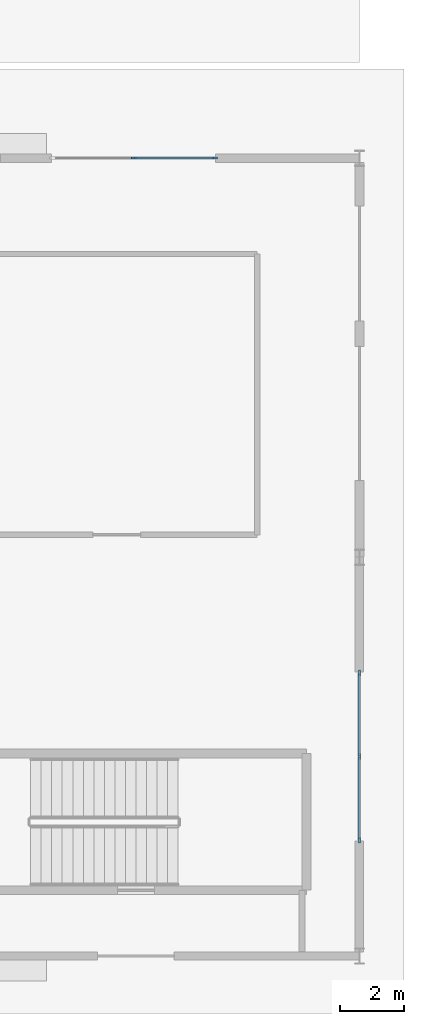
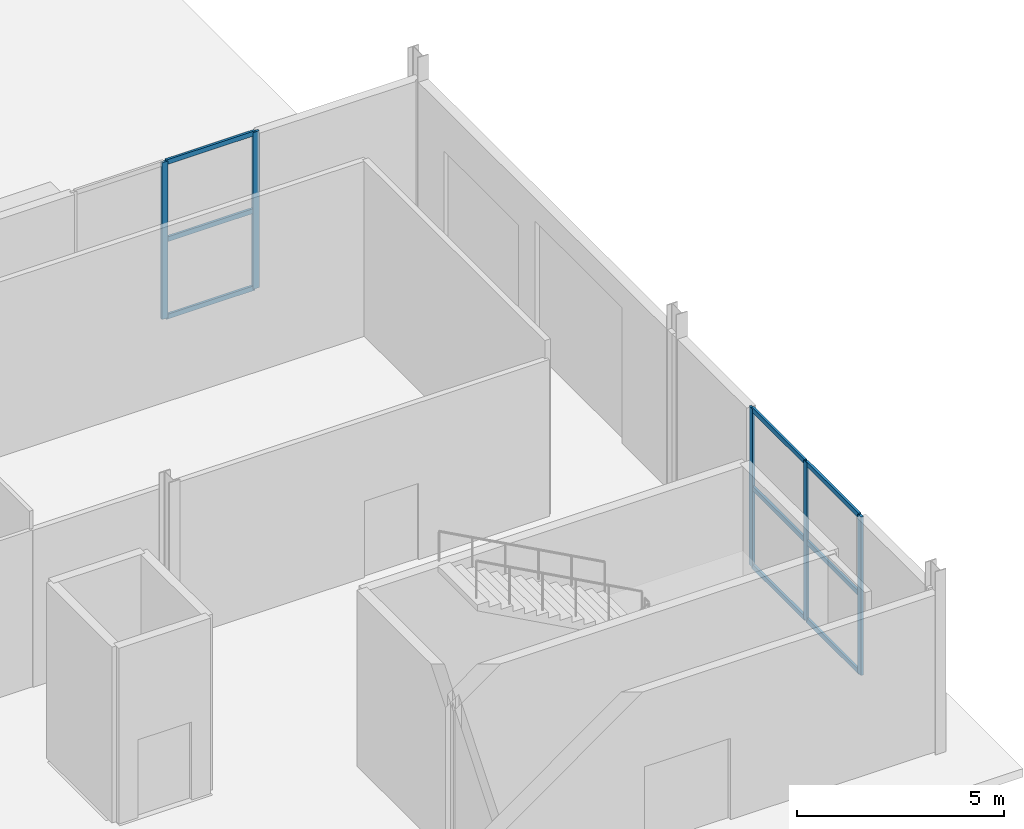
# One storey, part 47 of 87: 14 members, 2 elements without a shape of their own.
"""IFC4 building model written with IfcOpenShell, lengths in metres."""

from ifc_helpers import new_model, si_unit, direction, frame, origin, origin_2d, place, context, subcontext, project, spatial, rectangle, extrude, material, material_profile, profile_set, type_object, element, aggregate, save


model = new_model("IFC4")

# Units and contexts
model_context = context("Model", 3, precision=1e-05, world=origin(), true_north=direction((0.0, 1.0)))
body_context = subcontext(model_context, "Body", "Model", "MODEL_VIEW")
ifc_project = project(units=[si_unit("LENGTHUNIT", "METRE"), si_unit("AREAUNIT", "SQUARE_METRE"), si_unit("VOLUMEUNIT", "CUBIC_METRE"), si_unit("PLANEANGLEUNIT", "RADIAN"), si_unit("MASSUNIT", "GRAM", prefix="KILO")], contexts=[model_context])

# Site, building, storey
site_placement = place(None, origin())
site = spatial("IfcSite", under=ifc_project, at=site_placement, CompositionType="ELEMENT")
building_placement = place(site_placement, origin())
building = spatial("IfcBuilding", under=site, at=building_placement, Name="Kimbaza Rail Terminus", CompositionType="ELEMENT")
storey_placement = place(building_placement, origin())
storey = spatial("IfcBuildingStorey", under=building, at=storey_placement, Name="L00", CompositionType="ELEMENT", Elevation=0.0)

# Curtain wall, members
ifc_material_1 = material(Name="Anodised aluminium framing and solar low-E glazing", Category="aluminium")
curtain_wall_type = type_object("IfcCurtainWallType", Name="ARC-CW-PV1", PredefinedType="USERDEFINED", material=ifc_material_1)
curtain_wall_1_placement = place(storey_placement, origin())
curtain_wall_1 = element("IfcCurtainWall", 1, at=curtain_wall_1_placement, inside=storey, type_object=curtain_wall_type, Name="Pavilion N Curtain Wall L00.4", ObjectType="STICK CURTAIN WALL", PredefinedType="USERDEFINED")
ifc_material_2 = material(Name="Anodised architectural aluminium", Category="aluminium")
ifc_material_profile_1 = material_profile(ifc_material_2, rectangle(XDim=0.06494140625, YDim=0.175048828125, at=origin_2d()), Name="MULLION 65x175")
ifc_profile_set_1 = profile_set([ifc_material_profile_1], Name="Anodised architectural aluminium")
member_type_1 = type_object("IfcMemberType", Name="ARC-CWM-04", PredefinedType="MULLION", material=ifc_profile_set_1)
member_1_placement = place(storey_placement, frame((206.925048828125, 38.0, 0.0), z_axis=(0.0, 0.0, 1.0), x_axis=(0.0, 1.0, 0.0)))
member_1 = element("IfcMember", 2, at=member_1_placement, type_object=member_type_1, Name="CW-04 mullion 2", PredefinedType="MULLION", context=body_context, shape_type="SweptSolid", body=[
    extrude(rectangle(XDim=0.06494140625, YDim=0.175048828125, at=origin_2d()), origin(), (0.0, 0.0, 1.0), 4.625),
])
member_2_placement = place(storey_placement, frame((209.467529296875, 38.0, 0.0), z_axis=(0.0, 0.0, 1.0), x_axis=(0.0, 1.0, 0.0)))
member_2 = element("IfcMember", 3, at=member_2_placement, type_object=member_type_1, Name="CW-04 mullion 3", PredefinedType="MULLION", context=body_context, shape_type="SweptSolid", body=[
    extrude(rectangle(XDim=0.06494140625, YDim=0.175048828125, at=origin_2d()), origin(), (0.0, 0.0, 1.0), 4.625),
])

curtain_wall_2_placement = place(storey_placement, origin())
curtain_wall_2 = element("IfcCurtainWall", 4, at=curtain_wall_2_placement, inside=storey, type_object=curtain_wall_type, Name="Pavilion E Curtain Wall L00.1", ObjectType="STICK CURTAIN WALL", PredefinedType="USERDEFINED")
member_3_placement = place(storey_placement, frame((214.0, 16.632568359375, 0.0), z_axis=(0.0, 0.0, 1.0), x_axis=(-1.0, 0.0, 0.0)))
member_3 = element("IfcMember", 5, at=member_3_placement, type_object=member_type_1, Name="CW-04 mullion 1", PredefinedType="MULLION", context=body_context, shape_type="SweptSolid", body=[
    extrude(rectangle(XDim=0.06494140625, YDim=0.175048828125, at=origin_2d()), origin(), (0.0, 0.0, 1.0), 4.675048828125),
])
member_4_placement = place(storey_placement, frame((214.0, 19.25, 0.0), z_axis=(0.0, 0.0, 1.0), x_axis=(-1.0, 0.0, 0.0)))
member_4 = element("IfcMember", 6, at=member_4_placement, type_object=member_type_1, Name="CW-04 mullion 2", PredefinedType="MULLION", context=body_context, shape_type="SweptSolid", body=[
    extrude(rectangle(XDim=0.06494140625, YDim=0.175048828125, at=origin_2d()), origin(), (0.0, 0.0, 1.0), 4.675048828125),
])
member_5_placement = place(storey_placement, frame((214.0, 21.867431640625, 0.0), z_axis=(0.0, 0.0, 1.0), x_axis=(-1.0, 0.0, 0.0)))
member_5 = element("IfcMember", 7, at=member_5_placement, type_object=member_type_1, Name="CW-04 mullion 3", PredefinedType="MULLION", context=body_context, shape_type="SweptSolid", body=[
    extrude(rectangle(XDim=0.06494140625, YDim=0.175048828125, at=origin_2d()), origin(), (0.0, 0.0, 1.0), 4.675048828125),
])

# Member
ifc_material_3 = material(Name="Anodised architectural aluminium", Category="aluminium")
ifc_material_profile_2 = material_profile(ifc_material_3, rectangle(XDim=0.06494140625, YDim=0.139892578125, at=origin_2d()), Name="TRANSOM 65x140")
ifc_profile_set_2 = profile_set([ifc_material_profile_2], Name="Anodised architectural aluminium")
member_type_2 = type_object("IfcMemberType", Name="ARC-CWT-04", PredefinedType="USERDEFINED", material=ifc_profile_set_2)
member_6_placement = place(storey_placement, frame((206.95751953125, 38.0, 0.032470703125), z_axis=(1.0, 0.0, 0.0), x_axis=(0.0, 1.0, 0.0)))
member_6 = element("IfcMember", 8, at=member_6_placement, type_object=member_type_2, Name="CW-04 transom 2.1", ObjectType="TRANSOM", PredefinedType="USERDEFINED", context=body_context, shape_type="SweptSolid", body=[
    extrude(rectangle(XDim=0.06494140625, YDim=0.139892578125, at=origin_2d()), origin(), (0.0, 0.0, 1.0), 2.4775390625),
])

member_7_placement = place(storey_placement, frame((206.95751953125, 38.0, 2.3125), z_axis=(1.0, 0.0, 0.0), x_axis=(0.0, 1.0, 0.0)))
member_7 = element("IfcMember", 9, at=member_7_placement, type_object=member_type_2, Name="CW-04 transom 2.2", ObjectType="TRANSOM", PredefinedType="USERDEFINED", context=body_context, shape_type="SweptSolid", body=[
    extrude(rectangle(XDim=0.06494140625, YDim=0.139892578125, at=origin_2d()), origin(), (0.0, 0.0, 1.0), 2.4775390625),
])

member_8_placement = place(storey_placement, frame((206.95751953125, 38.0, 4.592529296875), z_axis=(1.0, 0.0, 0.0), x_axis=(0.0, 1.0, 0.0)))
member_8 = element("IfcMember", 10, at=member_8_placement, type_object=member_type_2, Name="CW-04 transom 2.3", ObjectType="TRANSOM", PredefinedType="USERDEFINED", context=body_context, shape_type="SweptSolid", body=[
    extrude(rectangle(XDim=0.06494140625, YDim=0.139892578125, at=origin_2d()), origin(), (0.0, 0.0, 1.0), 2.4775390625),
])

aggregate(curtain_wall_1, [member_1, member_2, member_6, member_7, member_8])

member_9_placement = place(storey_placement, frame((214.0, 16.6650390625, 0.032470703125), z_axis=(0.0, 1.0, 0.0), x_axis=(-1.0, 0.0, 0.0)))
member_9 = element("IfcMember", 11, at=member_9_placement, type_object=member_type_2, Name="CW-04 transom 1.1", ObjectType="TRANSOM", PredefinedType="USERDEFINED", context=body_context, shape_type="SweptSolid", body=[
    extrude(rectangle(XDim=0.06494140625, YDim=0.139892578125, at=origin_2d()), origin(), (0.0, 0.0, 1.0), 2.552490234375),
])

member_10_placement = place(storey_placement, frame((214.0, 16.6650390625, 2.33740234375), z_axis=(0.0, 1.0, 0.0), x_axis=(-1.0, 0.0, 0.0)))
member_10 = element("IfcMember", 12, at=member_10_placement, type_object=member_type_2, Name="CW-04 transom 1.2", ObjectType="TRANSOM", PredefinedType="USERDEFINED", context=body_context, shape_type="SweptSolid", body=[
    extrude(rectangle(XDim=0.06494140625, YDim=0.139892578125, at=origin_2d()), origin(), (0.0, 0.0, 1.0), 2.552490234375),
])

member_11_placement = place(storey_placement, frame((214.0, 16.6650390625, 4.642578125), z_axis=(0.0, 1.0, 0.0), x_axis=(-1.0, 0.0, 0.0)))
member_11 = element("IfcMember", 13, at=member_11_placement, type_object=member_type_2, Name="CW-04 transom 1.3", ObjectType="TRANSOM", PredefinedType="USERDEFINED", context=body_context, shape_type="SweptSolid", body=[
    extrude(rectangle(XDim=0.06494140625, YDim=0.139892578125, at=origin_2d()), origin(), (0.0, 0.0, 1.0), 2.552490234375),
])

member_12_placement = place(storey_placement, frame((214.0, 19.282470703125, 0.032470703125), z_axis=(0.0, 1.0, 0.0), x_axis=(-1.0, 0.0, 0.0)))
member_12 = element("IfcMember", 14, at=member_12_placement, type_object=member_type_2, Name="CW-04 transom 2.1", ObjectType="TRANSOM", PredefinedType="USERDEFINED", context=body_context, shape_type="SweptSolid", body=[
    extrude(rectangle(XDim=0.06494140625, YDim=0.139892578125, at=origin_2d()), origin(), (0.0, 0.0, 1.0), 2.552490234375),
])

member_13_placement = place(storey_placement, frame((214.0, 19.282470703125, 2.33740234375), z_axis=(0.0, 1.0, 0.0), x_axis=(-1.0, 0.0, 0.0)))
member_13 = element("IfcMember", 15, at=member_13_placement, type_object=member_type_2, Name="CW-04 transom 2.2", ObjectType="TRANSOM", PredefinedType="USERDEFINED", context=body_context, shape_type="SweptSolid", body=[
    extrude(rectangle(XDim=0.06494140625, YDim=0.139892578125, at=origin_2d()), origin(), (0.0, 0.0, 1.0), 2.552490234375),
])

member_14_placement = place(storey_placement, frame((214.0, 19.282470703125, 4.642578125), z_axis=(0.0, 1.0, 0.0), x_axis=(-1.0, 0.0, 0.0)))
member_14 = element("IfcMember", 16, at=member_14_placement, type_object=member_type_2, Name="CW-04 transom 2.3", ObjectType="TRANSOM", PredefinedType="USERDEFINED", context=body_context, shape_type="SweptSolid", body=[
    extrude(rectangle(XDim=0.06494140625, YDim=0.139892578125, at=origin_2d()), origin(), (0.0, 0.0, 1.0), 2.552490234375),
])

aggregate(curtain_wall_2, [member_3, member_4, member_5, member_9, member_10, member_11, member_12, member_13, member_14])

save(model, "model.ifc")
